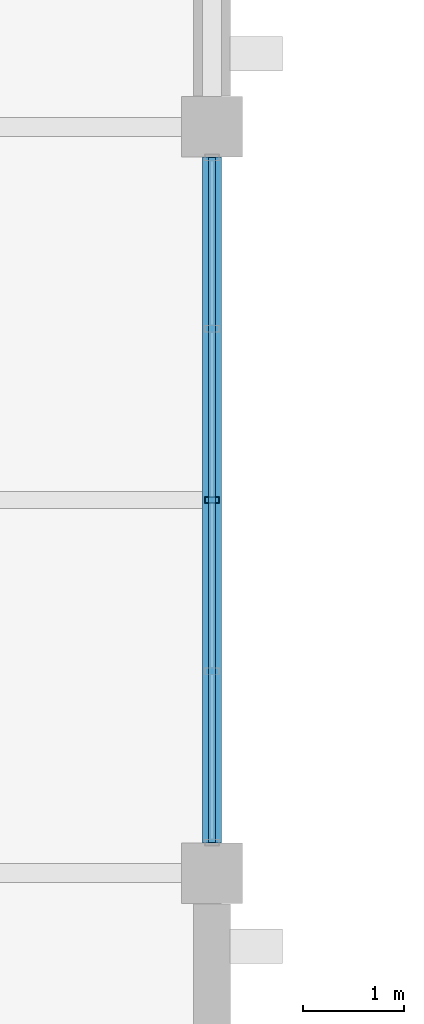
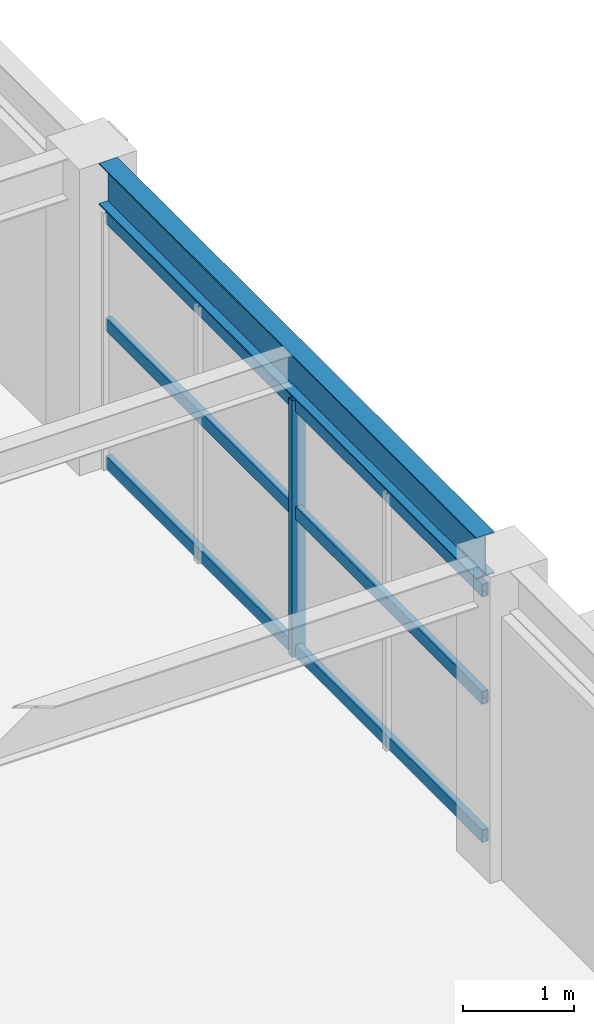
# One storey, part 13 of 121: 4 members, 1 beam, 1 element without a shape of its own.
"""IFC4 building model written with IfcOpenShell, lengths in metres."""

from ifc_helpers import new_model, si_unit, direction, frame, origin, origin_2d, place, context, subcontext, project, spatial, hollow_rectangle, i_section, extrude, material, material_profile, profile_set, type_object, element, aggregate, save


model = new_model("IFC4")

# Units and contexts
model_context = context("Model", 3, precision=1e-05, world=origin(), true_north=direction((0.0, 1.0)))
body_context = subcontext(model_context, "Body", "Model", "MODEL_VIEW")
ifc_project = project(units=[si_unit("LENGTHUNIT", "METRE"), si_unit("AREAUNIT", "SQUARE_METRE"), si_unit("VOLUMEUNIT", "CUBIC_METRE"), si_unit("PLANEANGLEUNIT", "RADIAN"), si_unit("MASSUNIT", "GRAM", prefix="KILO")], contexts=[model_context])

# Site, building, storey
site_placement = place(None, origin())
site = spatial("IfcSite", under=ifc_project, at=site_placement, CompositionType="ELEMENT")
building_placement = place(site_placement, origin())
building = spatial("IfcBuilding", under=site, at=building_placement, Name="Cimatlan Art Gallery", CompositionType="ELEMENT")
storey_placement = place(building_placement, frame((0.0, 0.0, 10.199951171875)))
storey = spatial("IfcBuildingStorey", under=building, at=storey_placement, Name="L02", CompositionType="ELEMENT", Elevation=10.199951171875)

# Beam
ifc_material_1 = material(Name="Steel ASTM A992 Grade 50", Category="steel")
ifc_material_profile_1 = material_profile(ifc_material_1, i_section(OverallWidth=0.19091796875, OverallDepth=0.45703125, WebThickness=0.009033203125, FlangeThickness=0.014404296875, at=origin_2d()), Name="W18X50")
ifc_profile_set_1 = profile_set([ifc_material_profile_1], Name="Steel ASTM A992 Grade 50")
beam_type = type_object("IfcBeamType", Name="BM-STL-W18X50", PredefinedType="BEAM", material=ifc_profile_set_1)
beam_placement = place(storey_placement, frame((18.199951171875, 61.199951171875, 3.1416015625), z_axis=(0.0, 1.0, 0.0), x_axis=(-1.0, 0.0, 0.0)))
element("IfcBeam", 1, at=beam_placement, inside=storey, type_object=beam_type, Name="BM-Y-L02-02-08", PredefinedType="BEAM", context=body_context, shape_type="SweptSolid", body=[
    extrude(i_section(OverallWidth=0.19091796875, OverallDepth=0.45703125, WebThickness=0.009033203125, FlangeThickness=0.014404296875, at=origin_2d()), origin(), (0.0, 0.0, 1.0), 6.800048828125),
])

# Curtain wall, members
ifc_material_2 = material(Name="Anodised bronze unitised curtain wall")
curtain_wall_type = type_object("IfcCurtainWallType", Name="CW-V-06792X02823-B4", PredefinedType="NOTDEFINED", material=ifc_material_2)
curtain_wall_placement = place(storey_placement, origin())
curtain_wall = element("IfcCurtainWall", 2, at=curtain_wall_placement, inside=storey, type_object=curtain_wall_type, Name="CW-L02-01-08-E", PredefinedType="NOTDEFINED")
ifc_material_3 = material(Name="Anodised bronze aluminium 6063-T6", Category="aluminium")
ifc_material_profile_2 = material_profile(ifc_material_3, hollow_rectangle(XDim=0.06494140625, YDim=0.139892578125, WallThickness=0.00390625, at=origin_2d()), Name="ALU65X140X4")
ifc_profile_set_2 = profile_set([ifc_material_profile_2], Name="Anodised bronze aluminium 6063-T6")
member_type_1 = type_object("IfcMemberType", Name="CW-MUL-140", PredefinedType="MULLION", material=ifc_profile_set_2)
member_1_placement = place(storey_placement, frame((18.199951171875, 64.60009765625, 0.0), z_axis=(0.0, 0.0, 1.0), x_axis=(0.0, 1.0, 0.0)))
member_1 = element("IfcMember", 3, at=member_1_placement, type_object=member_type_1, Name="CW-L02-01-08-E-M3", PredefinedType="MULLION", context=body_context, shape_type="SweptSolid", body=[
    extrude(hollow_rectangle(XDim=0.06494140625, YDim=0.139892578125, WallThickness=0.00390625, at=origin_2d()), origin(), (0.0, 0.0, 1.0), 2.822998046875),
])
ifc_material_profile_3 = material_profile(ifc_material_3, hollow_rectangle(XDim=0.06494140625, YDim=0.139892578125, WallThickness=0.00390625, at=origin_2d()), Name="ALU65X140X4")
ifc_profile_set_3 = profile_set([ifc_material_profile_3], Name="Anodised bronze aluminium 6063-T6")
member_type_2 = type_object("IfcMemberType", Name="CW-TRN-140", PredefinedType="USERDEFINED", material=ifc_profile_set_3)
member_2_placement = place(storey_placement, frame((18.199951171875, 67.99609375, 0.06005859375), z_axis=(0.0, -1.0, 0.0), x_axis=(1.0, 0.0, 0.0)))
member_2 = element("IfcMember", 4, at=member_2_placement, type_object=member_type_2, Name="CW-L02-01-08-E-T1", ObjectType="TRANSOM", PredefinedType="USERDEFINED", context=body_context, shape_type="SweptSolid", body=[
    extrude(hollow_rectangle(XDim=0.06494140625, YDim=0.139892578125, WallThickness=0.00390625, at=origin_2d()), origin(), (0.0, 0.0, 1.0), 6.7919921875),
])
member_3_placement = place(storey_placement, frame((18.199951171875, 67.99609375, 1.5810546875), z_axis=(0.0, -1.0, 0.0), x_axis=(1.0, 0.0, 0.0)))
member_3 = element("IfcMember", 5, at=member_3_placement, type_object=member_type_2, Name="CW-L02-01-08-E-T2", ObjectType="TRANSOM", PredefinedType="USERDEFINED", context=body_context, shape_type="SweptSolid", body=[
    extrude(hollow_rectangle(XDim=0.06494140625, YDim=0.139892578125, WallThickness=0.00390625, at=origin_2d()), origin(), (0.0, 0.0, 1.0), 6.7919921875),
])
member_4_placement = place(storey_placement, frame((18.199951171875, 67.99609375, 2.762939453125), z_axis=(0.0, -1.0, 0.0), x_axis=(1.0, 0.0, 0.0)))
member_4 = element("IfcMember", 6, at=member_4_placement, type_object=member_type_2, Name="CW-L02-01-08-E-T3", ObjectType="TRANSOM", PredefinedType="USERDEFINED", context=body_context, shape_type="SweptSolid", body=[
    extrude(hollow_rectangle(XDim=0.06494140625, YDim=0.139892578125, WallThickness=0.00390625, at=origin_2d()), origin(), (0.0, 0.0, 1.0), 6.7919921875),
])
aggregate(curtain_wall, [member_1, member_2, member_3, member_4])

save(model, "model.ifc")
